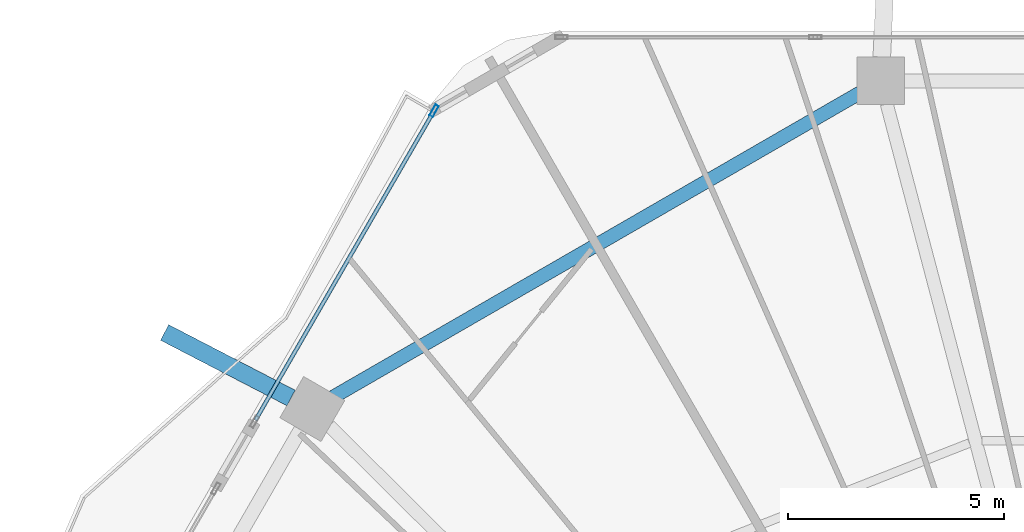
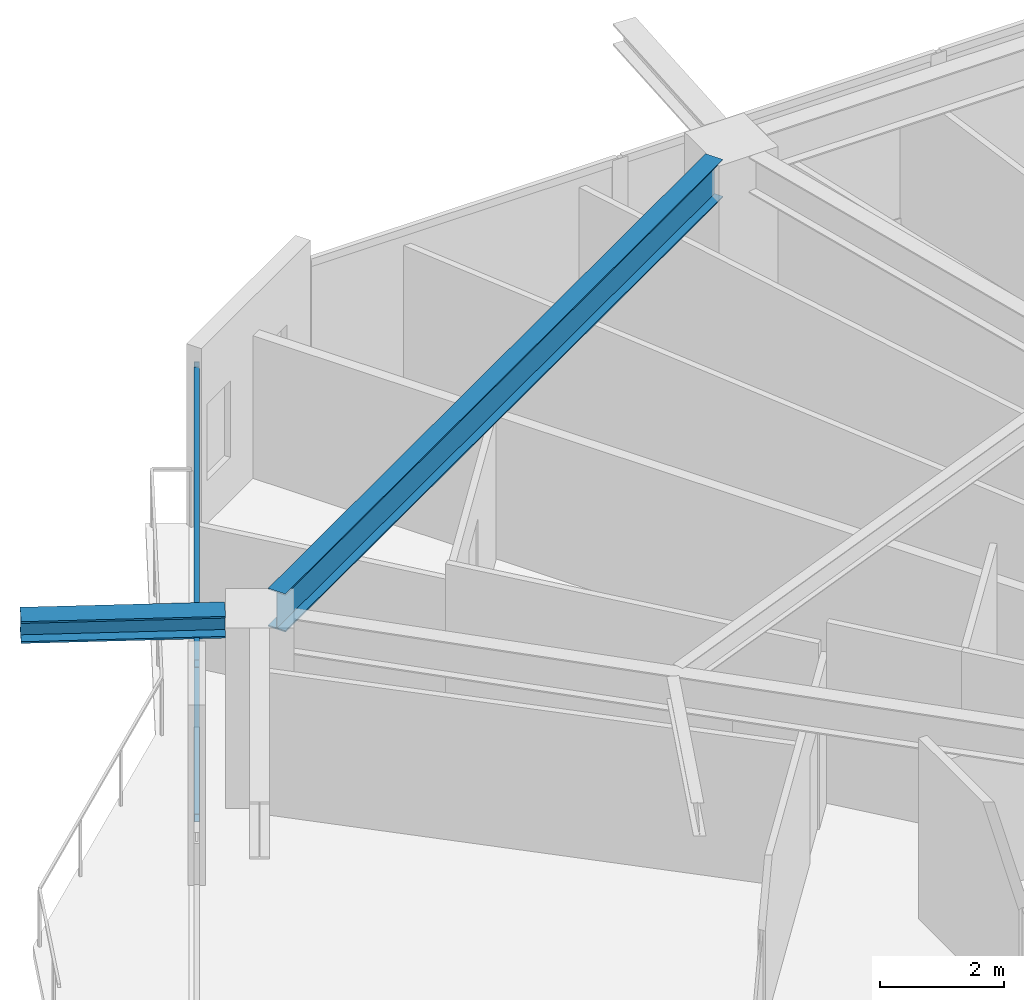
# One storey, part 15 of 33: 3 members, 2 beams, 1 element without a shape of its own.
"""IFC4 building model written with IfcOpenShell, lengths in metres."""

from ifc_helpers import new_model, si_unit, direction, frame, origin, origin_2d, place, context, subcontext, project, spatial, hollow_rectangle, i_section, extrude, material, material_profile, profile_set, type_object, element, aggregate, save


model = new_model("IFC4")

# Units and contexts
model_context = context("Model", 3, precision=1e-05, world=origin(), true_north=direction((0.0, 1.0)))
body_context = subcontext(model_context, "Body", "Model", "MODEL_VIEW")
ifc_project = project(units=[si_unit("LENGTHUNIT", "METRE"), si_unit("AREAUNIT", "SQUARE_METRE"), si_unit("VOLUMEUNIT", "CUBIC_METRE"), si_unit("PLANEANGLEUNIT", "RADIAN"), si_unit("MASSUNIT", "GRAM", prefix="KILO")], contexts=[model_context])

# Site, building, storey
site_placement = place(None, origin())
site = spatial("IfcSite", under=ifc_project, at=site_placement, CompositionType="ELEMENT")
building_placement = place(site_placement, origin())
building = spatial("IfcBuilding", under=site, at=building_placement, Name="Zuhravey Tower", CompositionType="ELEMENT")
storey_placement = place(building_placement, frame((0.0, 0.0, 96.199951171875)))
storey = spatial("IfcBuildingStorey", under=building, at=storey_placement, Name="L23", CompositionType="ELEMENT", Elevation=96.199951171875)

# Curtain wall, members
ifc_material_1 = material(Name="Thermally broken anodised aluminium", Category="aluminium")
curtain_wall_type = type_object("IfcCurtainWallType", Name="Zone 1-2 Residential Curtain Wall CW3", PredefinedType="NOTDEFINED", material=ifc_material_1)
curtain_wall_placement = place(storey_placement, origin())
curtain_wall = element("IfcCurtainWall", 1, at=curtain_wall_placement, inside=storey, type_object=curtain_wall_type, Name="L23 CW3 CW-L23-F3-2", PredefinedType="NOTDEFINED")
ifc_material_2 = material(Name="Anodised aluminium", Category="aluminium")
ifc_material_profile_1 = material_profile(ifc_material_2, hollow_rectangle(XDim=0.090087890625, YDim=0.284912109375, WallThickness=0.0048828125, at=origin_2d()), Name="ALU-RHS-90x285x5")
ifc_profile_set_1 = profile_set([ifc_material_profile_1], Name="Anodised aluminium")
member_type_1 = type_object("IfcMemberType", Name="Curtain-Wall Mullion 90x180", PredefinedType="MULLION", material=ifc_profile_set_1)
member_1_placement = place(storey_placement, frame((18.298583984375, 59.257080078125, 0.0), z_axis=(0.0, 0.0, 1.0), x_axis=(-0.866024791479, 0.500001060543, 0.0)))
member_1 = element("IfcMember", 2, at=member_1_placement, type_object=member_type_1, Name="CW3 mullion 2", PredefinedType="MULLION", context=body_context, shape_type="SweptSolid", body=[
    extrude(hollow_rectangle(XDim=0.090087890625, YDim=0.284912109375, WallThickness=0.0048828125, at=origin_2d()), origin(), (0.0, 0.0, 1.0), 3.1220703125),
])
ifc_material_profile_2 = material_profile(ifc_material_2, hollow_rectangle(XDim=0.090087890625, YDim=0.14990234375, WallThickness=0.0048828125, at=origin_2d()), Name="ALU-RHS-90x150x5")
ifc_profile_set_2 = profile_set([ifc_material_profile_2], Name="Anodised aluminium")
member_type_2 = type_object("IfcMemberType", Name="Curtain-Wall Transom 90x150", PredefinedType="USERDEFINED", material=ifc_profile_set_2)
member_2_placement = place(storey_placement, frame((14.16650390625, 52.10009765625, 0.045166015625), z_axis=(0.49998558365, 0.866033726908, 0.0), x_axis=(-0.866033726908, 0.49998558365, 0.0)))
member_2 = element("IfcMember", 3, at=member_2_placement, type_object=member_type_2, Name="CW3 transom 1.1", ObjectType="TRANSOM", PredefinedType="USERDEFINED", context=body_context, shape_type="SweptSolid", body=[
    extrude(hollow_rectangle(XDim=0.090087890625, YDim=0.14990234375, WallThickness=0.0048828125, at=origin_2d()), origin(), (0.0, 0.0, 1.0), 8.218994140625),
])
member_3_placement = place(storey_placement, frame((14.16650390625, 52.10009765625, 3.0771484375), z_axis=(0.49998558365, 0.866033726908, 0.0), x_axis=(-0.866033726908, 0.49998558365, 0.0)))
member_3 = element("IfcMember", 4, at=member_3_placement, type_object=member_type_2, Name="CW3 transom 1.2", ObjectType="TRANSOM", PredefinedType="USERDEFINED", context=body_context, shape_type="SweptSolid", body=[
    extrude(hollow_rectangle(XDim=0.090087890625, YDim=0.14990234375, WallThickness=0.0048828125, at=origin_2d()), origin(), (0.0, 0.0, 1.0), 8.218994140625),
])
aggregate(curtain_wall, [member_1, member_2, member_3])

# Beams
ifc_material_3 = material(Name="Steel SM460", Category="steel")
ifc_material_profile_3 = material_profile(ifc_material_3, i_section(OverallWidth=0.406982421875, OverallDepth=0.427978515625, WebThickness=0.02001953125, FlangeThickness=0.034912109375, at=origin_2d()), Name="H-428x407x20x35")
ifc_profile_set_3 = profile_set([ifc_material_profile_3], Name="Steel SM460")
beam_type_1 = type_object("IfcBeamType", Name="Exoskeleton Node Tie Beam H428x407", PredefinedType="BEAM", material=ifc_profile_set_3)
beam_1_placement = place(storey_placement, frame((14.988525390625, 52.612060546875, 3.3359375), z_axis=(-0.887932798852, 0.459973200006, 0.0), x_axis=(-0.459973200006, -0.887932798852, 0.0)))
element("IfcBeam", 5, at=beam_1_placement, inside=storey, type_object=beam_type_1, Name="L23 Exoskeleton Node Tie NT1-05", PredefinedType="BEAM", context=body_context, shape_type="SweptSolid", body=[
    extrude(i_section(OverallWidth=0.406982421875, OverallDepth=0.427978515625, WebThickness=0.02001953125, FlangeThickness=0.034912109375, at=origin_2d()), origin(), (0.0, 0.0, 1.0), 3.29443359375),
])
ifc_material_4 = material(Name="Steel SM355", Category="steel")
ifc_material_profile_4 = material_profile(ifc_material_4, i_section(OverallWidth=0.320068359375, OverallDepth=0.75, WebThickness=0.013916015625, FlangeThickness=0.02490234375, at=origin_2d()), Name="H-750x320x14x25")
ifc_profile_set_4 = profile_set([ifc_material_profile_4], Name="Steel SM355")
beam_type_2 = type_object("IfcBeamType", Name="Perimeter Ring Beam H750x320", PredefinedType="BEAM", material=ifc_profile_set_4)
beam_2_placement = place(storey_placement, frame((28.151123046875, 59.672119140625, 3.175048828125), z_axis=(-0.866017786538, -0.500013193225, 0.0), x_axis=(0.500013193225, -0.866017786538, 0.0)))
element("IfcBeam", 6, at=beam_2_placement, inside=storey, type_object=beam_type_2, Name="L23 PB1 BM-L23-PB-04", PredefinedType="BEAM", context=body_context, shape_type="SweptSolid", body=[
    extrude(i_section(OverallWidth=0.320068359375, OverallDepth=0.75, WebThickness=0.013916015625, FlangeThickness=0.02490234375, at=origin_2d()), origin(), (0.0, 0.0, 1.0), 14.0771484375),
])

save(model, "model.ifc")
